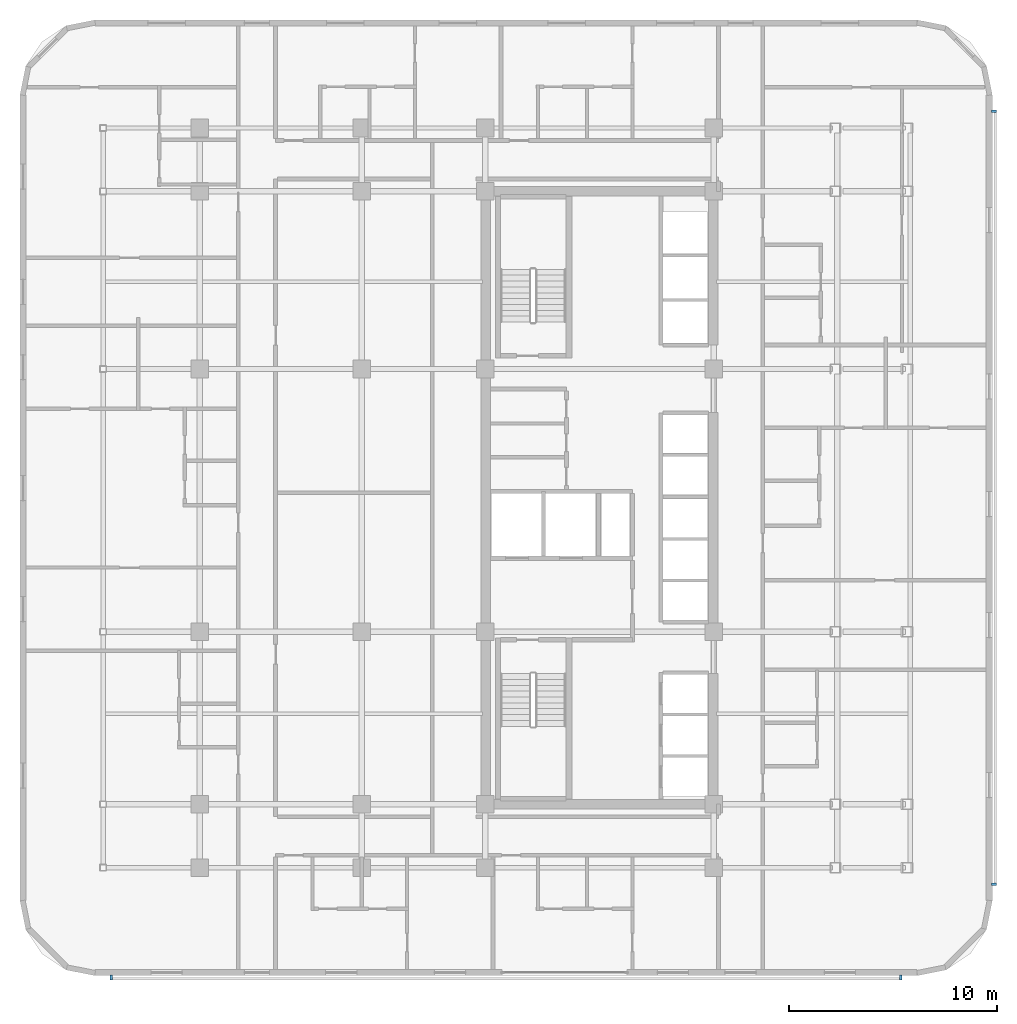
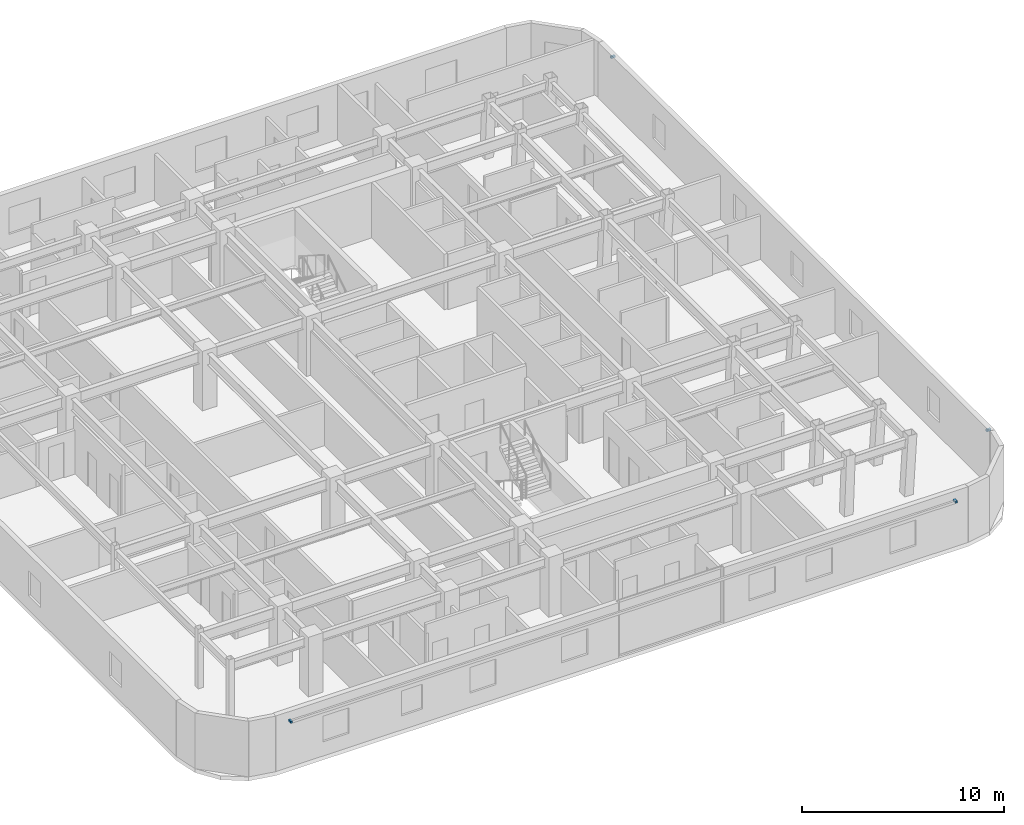
# One storey, part 12 of 15: 4 discrete accessories.
"""IFC4 building model written with IfcOpenShell, lengths in metres."""

from ifc_helpers import new_model, si_unit, direction, frame, origin, origin_2d, place, context, subcontext, project, spatial, rectangle, extrude, material, type_object, element, save


model = new_model("IFC4")

# Units and contexts
model_context = context("Model", 3, precision=1e-05, world=origin(), true_north=direction((0.0, 1.0)))
body_context = subcontext(model_context, "Body", "Model", "MODEL_VIEW")
ifc_project = project(units=[si_unit("LENGTHUNIT", "METRE"), si_unit("AREAUNIT", "SQUARE_METRE"), si_unit("VOLUMEUNIT", "CUBIC_METRE"), si_unit("PLANEANGLEUNIT", "RADIAN"), si_unit("MASSUNIT", "GRAM", prefix="KILO")], contexts=[model_context])

# Site, building, storey
site_placement = place(None, origin())
site = spatial("IfcSite", under=ifc_project, at=site_placement, CompositionType="ELEMENT")
building_placement = place(site_placement, origin())
building = spatial("IfcBuilding", under=site, at=building_placement, Name="Ochreholt Gables", CompositionType="ELEMENT")
storey_placement = place(building_placement, frame((0.0, 0.0, 31.199951171875)))
storey = spatial("IfcBuildingStorey", under=building, at=storey_placement, Name="L07", CompositionType="ELEMENT", Elevation=31.199951171875)

# Discrete accessories
ifc_material = material(Name="Extruded Aluminium Standoff Bracket", Category="aluminium")
discrete_accessory_type = type_object("IfcDiscreteAccessoryType", Name="ACC-BRACKET-AL", PredefinedType="BRACKET", material=ifc_material)
for number, where, z_axis, x_axis, name in (
    (1, (6.199951171875, 0.909912109375, 2.780029296875), (0.0, 0.0, 1.0), (1.0, 0.0, 0.0), "L07 Baguette Standoff Bracket S1-1"),
    (2, (44.199951171875, 0.909912109375, 2.780029296875), (0.0, 0.0, 1.0), (1.0, 0.0, 0.0), "L07 Baguette Standoff Bracket S1-2"),
    (3, (48.68994140625, 5.39990234375, 2.780029296875), (0.0, 0.0, 1.0), (0.0, 1.0, 0.0), "L07 Baguette Standoff Bracket E1-1"),
    (4, (48.68994140625, 42.60009765625, 2.780029296875), (0.0, 0.0, 1.0), (0.0, 1.0, 0.0), "L07 Baguette Standoff Bracket E1-2"),
):
    element("IfcDiscreteAccessory", number, at=place(storey_placement, frame(where, z_axis=z_axis, x_axis=x_axis)), inside=storey, type_object=discrete_accessory_type, Name=name, PredefinedType="BRACKET", context=body_context, shape_type="SweptSolid", body=[
        extrude(rectangle(XDim=0.1201171875, YDim=0.239990234375, at=origin_2d()), origin(), (0.0, 0.0, 1.0), 0.1201171875),
    ])

save(model, "model.ifc")
